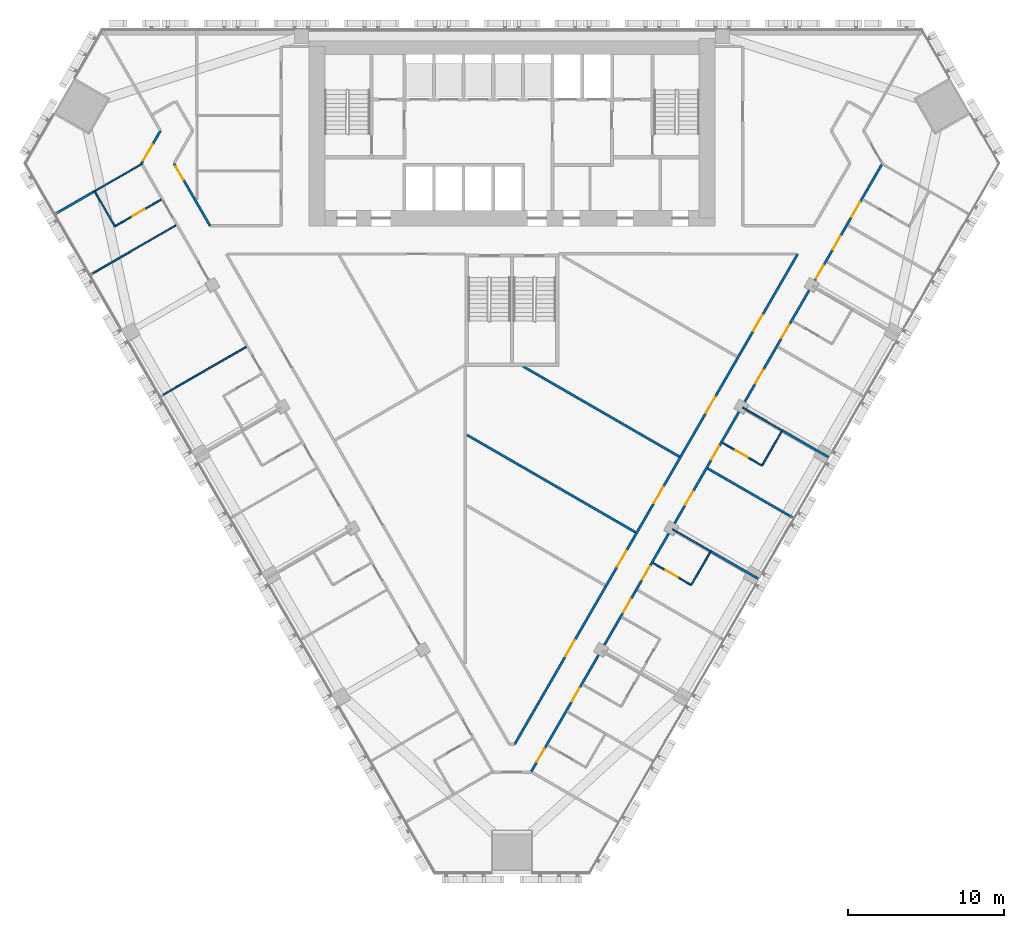
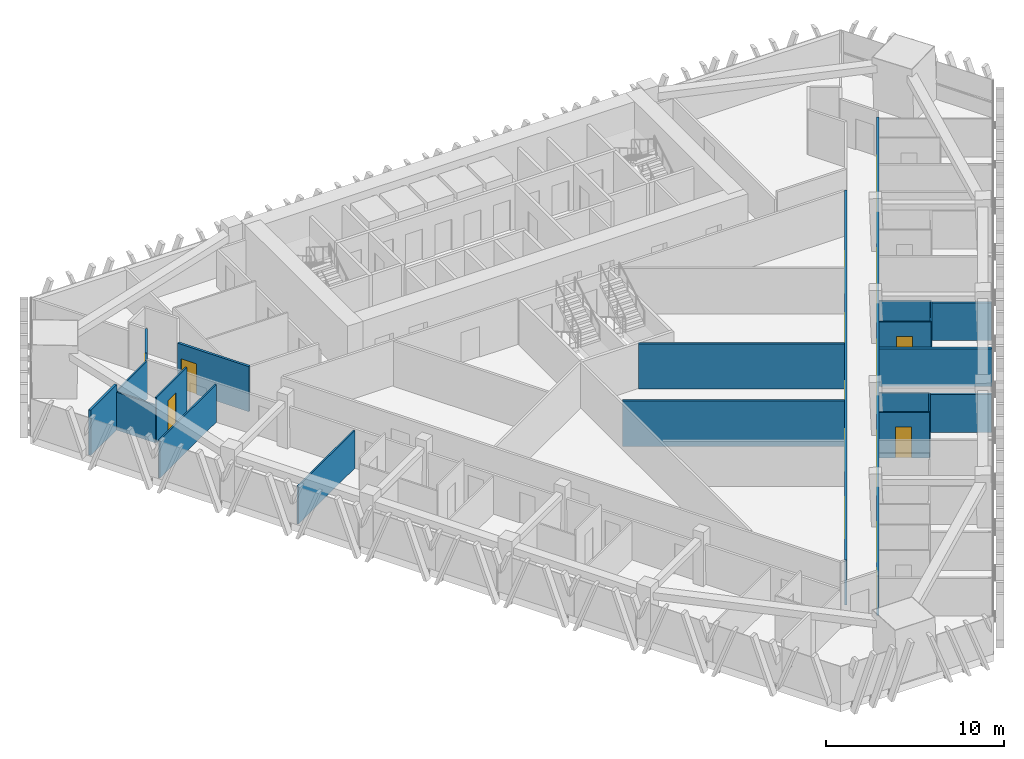
# One storey, part 11 of 17: 21 doors, 21 walls, 21 openings.
"""IFC4 building model written with IfcOpenShell, lengths in metres."""

from ifc_helpers import new_model, si_unit, direction, frame, frame_2d, origin, place, context, subcontext, project, spatial, rectangle, extrude, material, layer, layer_set, type_object, element, fill, save


model = new_model("IFC4")

# Units and contexts
model_context = context("Model", 3, precision=1e-05, world=origin(), true_north=direction((0.0, 1.0)))
body_context = subcontext(model_context, "Body", "Model", "MODEL_VIEW")
ifc_project = project(units=[si_unit("LENGTHUNIT", "METRE"), si_unit("AREAUNIT", "SQUARE_METRE"), si_unit("VOLUMEUNIT", "CUBIC_METRE"), si_unit("PLANEANGLEUNIT", "RADIAN"), si_unit("MASSUNIT", "GRAM", prefix="KILO")], contexts=[model_context])

# Site, building, storey
site_placement = place(None, origin())
site = spatial("IfcSite", under=ifc_project, at=site_placement, CompositionType="ELEMENT")
building_placement = place(site_placement, origin())
building = spatial("IfcBuilding", under=site, at=building_placement, Name="Altiplano Prism Tower", CompositionType="ELEMENT")
storey_placement = place(building_placement, frame((0.0, 0.0, 30.60009765625)))
storey = spatial("IfcBuildingStorey", under=building, at=storey_placement, Name="L06", CompositionType="ELEMENT", Elevation=30.60009765625)

# Wall, opening, door
ifc_material_1 = material(Name="Plasterboard on steel stud", Category="steel")
ifc_layer_1 = layer(ifc_material_1, 0.10009765625)
ifc_layer_set_1 = layer_set([ifc_layer_1], Name="Plasterboard on steel stud")
wall_type_1 = type_object("IfcWallType", Name="Partition 100 unit", PredefinedType="PARTITIONING", material=ifc_layer_set_1)
wall_1_placement = place(storey_placement, frame((62.507568359375, 94.0849609375, 0.0), z_axis=(0.0, 0.0, 1.0), x_axis=(-0.866032454348, -0.499987787867, 0.0)))
wall_1 = element("IfcWall", 1, at=wall_1_placement, inside=storey, type_object=wall_type_1, Name="Partition P02 L06 034", PredefinedType="PARTITIONING", context=body_context, shape_type="SweptSolid", body=[
    extrude(rectangle(XDim=3.4248046875, YDim=0.10009765625, at=frame_2d((1.71240234375, 0.0))), origin(), (0.0, 0.0, 1.0), 3.099853515625),
])
opening_1_placement = place(wall_1_placement, frame((1.22509765625, 0.0, 0.0)))
opening_1 = element("IfcOpeningElement", 2, at=opening_1_placement, cuts=wall_1, Name="Opening D0186", PredefinedType="OPENING", context=body_context, shape_type="SweptSolid", body=[
    extrude(rectangle(XDim=0.89990234375, YDim=2.10009765625, at=frame_2d((0.449951171875, 1.050048828125))), frame((0.0, 0.060546875, 0.0), z_axis=(0.0, -1.0, 0.0), x_axis=(1.0, 0.0, 0.0)), (0.0, 0.0, 1.0), 0.12109375),
])
ifc_material_2 = material(Name="Timber", Category="wood")
door_type_1 = type_object("IfcDoorType", Name="Accessible ensuite door 900 x 2100", OperationType="NOTDEFINED", PredefinedType="NOTDEFINED", material=ifc_material_2)
door_1_placement = place(opening_1_placement, origin())
door_1 = element("IfcDoor", 3, at=door_1_placement, inside=storey, type_object=door_type_1, Name="Door D0186", OperationType="SINGLE_SWING_LEFT", OverallHeight=2.10009765625, OverallWidth=0.89990234375, PredefinedType="NOTDEFINED", context=body_context, shape_type="SweptSolid", body=[
    extrude(rectangle(XDim=0.89990234375, YDim=2.10009765625, at=frame_2d((0.449951171875, 1.050048828125))), frame((0.0, 0.02490234375, 0.0), z_axis=(0.0, -1.0, 0.0), x_axis=(1.0, 0.0, 0.0)), (0.0, 0.0, 1.0), 0.050048828125),
])
fill(opening_1, door_1)

# Walls
wall_2_placement = place(storey_placement, frame((59.54150390625, 92.37255859375, 0.0), z_axis=(0.0, 0.0, 1.0), x_axis=(-0.500047596559, 0.865997922154, 0.0)))
element("IfcWall", 4, at=wall_2_placement, inside=storey, type_object=wall_type_1, Name="Partition P02 L06 035", PredefinedType="PARTITIONING", context=body_context, shape_type="SweptSolid", body=[
    extrude(rectangle(XDim=2.599853515625, YDim=0.10009765625, at=frame_2d((1.2998046875, 0.0))), origin(), (0.0, 0.0, 1.0), 2.599853515625),
])
wall_3_placement = place(storey_placement, frame((97.701416015625, 71.4765625, 0.0), z_axis=(0.0, 0.0, 1.0), x_axis=(-0.500047793048, -0.865997808697, 0.0)))
element("IfcWall", 5, at=wall_3_placement, inside=storey, type_object=wall_type_1, Name="Partition P02 L06 067", PredefinedType="PARTITIONING", context=body_context, shape_type="SweptSolid", body=[
    extrude(rectangle(XDim=2.425048828125, YDim=0.10009765625, at=frame_2d((1.21240234375, 0.0))), origin(), (0.0, 0.0, 1.0), 2.699951171875),
])

# Wall, opening, door
wall_4_placement = place(storey_placement, frame((96.48876953125, 69.37646484375, 0.0), z_axis=(0.0, 0.0, 1.0), x_axis=(-0.866048868473, 0.499959355765, 0.0)))
wall_4 = element("IfcWall", 6, at=wall_4_placement, inside=storey, type_object=wall_type_1, Name="Partition P02 L06 068", PredefinedType="PARTITIONING", context=body_context, shape_type="SweptSolid", body=[
    extrude(rectangle(XDim=2.824951171875, YDim=0.10009765625, at=frame_2d((1.41259765625, 0.0))), origin(), (0.0, 0.0, 1.0), 3.099853515625),
])
opening_2_placement = place(wall_4_placement, frame((1.0, 0.0, 0.0)))
opening_2 = element("IfcOpeningElement", 7, at=opening_2_placement, cuts=wall_4, Name="Opening D0206", PredefinedType="OPENING", context=body_context, shape_type="SweptSolid", body=[
    extrude(rectangle(XDim=0.89990234375, YDim=2.10009765625, at=frame_2d((0.449951171875, 1.050048828125))), frame((0.0, 0.060546875, 0.0), z_axis=(0.0, -1.0, 0.0), x_axis=(1.0, 0.0, 0.0)), (0.0, 0.0, 1.0), 0.12109375),
])
door_type_2 = type_object("IfcDoorType", Name="Ensuite door 900 x 2100", OperationType="NOTDEFINED", PredefinedType="NOTDEFINED", material=ifc_material_2)
door_2_placement = place(opening_2_placement, origin())
door_2 = element("IfcDoor", 8, at=door_2_placement, inside=storey, type_object=door_type_2, Name="Door D0206", OperationType="SINGLE_SWING_RIGHT", OverallHeight=2.10009765625, OverallWidth=0.89990234375, PredefinedType="NOTDEFINED", context=body_context, shape_type="SweptSolid", body=[
    extrude(rectangle(XDim=0.89990234375, YDim=2.10009765625, at=frame_2d((0.449951171875, 1.050048828125))), frame((0.0, 0.02490234375, 0.0), z_axis=(0.0, -1.0, 0.0), x_axis=(1.0, 0.0, 0.0)), (0.0, 0.0, 1.0), 0.050048828125),
])
fill(opening_2, door_2)

# Wall
wall_5_placement = place(storey_placement, frame((102.287841796875, 79.220703125, 0.0), z_axis=(0.0, 0.0, 1.0), x_axis=(-0.499976333282, -0.866039067339, 0.0)))
element("IfcWall", 9, at=wall_5_placement, inside=storey, type_object=wall_type_1, Name="Partition P02 L06 072", PredefinedType="PARTITIONING", context=body_context, shape_type="SweptSolid", body=[
    extrude(rectangle(XDim=2.52490234375, YDim=0.10009765625, at=frame_2d((1.262451171875, 0.0))), origin(), (0.0, 0.0, 1.0), 2.699951171875),
])

# Wall, opening, door
wall_6_placement = place(storey_placement, frame((101.025390625, 77.033935546875, 0.0), z_axis=(0.0, 0.0, 1.0), x_axis=(-0.865989585315, 0.500062034277, 0.0)))
wall_6 = element("IfcWall", 10, at=wall_6_placement, inside=storey, type_object=wall_type_1, Name="Partition P02 L06 073", PredefinedType="PARTITIONING", context=body_context, shape_type="SweptSolid", body=[
    extrude(rectangle(XDim=2.925048828125, YDim=0.10009765625, at=frame_2d((1.46240234375, 0.0))), origin(), (0.0, 0.0, 1.0), 3.099853515625),
])
opening_3_placement = place(wall_6_placement, frame((1.050048828125, 0.0, 0.0)))
opening_3 = element("IfcOpeningElement", 11, at=opening_3_placement, cuts=wall_6, Name="Opening D0209", PredefinedType="OPENING", context=body_context, shape_type="SweptSolid", body=[
    extrude(rectangle(XDim=0.89990234375, YDim=2.10009765625, at=frame_2d((0.449951171875, 1.050048828125))), frame((0.0, 0.060546875, 0.0), z_axis=(0.0, -1.0, 0.0), x_axis=(1.0, 0.0, 0.0)), (0.0, 0.0, 1.0), 0.12109375),
])
door_3_placement = place(opening_3_placement, origin())
door_3 = element("IfcDoor", 12, at=door_3_placement, inside=storey, type_object=door_type_2, Name="Door D0209", OperationType="SINGLE_SWING_LEFT", OverallHeight=2.10009765625, OverallWidth=0.89990234375, PredefinedType="NOTDEFINED", context=body_context, shape_type="SweptSolid", body=[
    extrude(rectangle(XDim=0.89990234375, YDim=2.10009765625, at=frame_2d((0.449951171875, 1.050048828125))), frame((0.0, 0.02490234375, 0.0), z_axis=(0.0, -1.0, 0.0), x_axis=(1.0, 0.0, 0.0)), (0.0, 0.0, 1.0), 0.050048828125),
])
fill(opening_3, door_3)

# Walls
ifc_layer_2 = layer(ifc_material_1, 0.10009765625)
ifc_layer_set_2 = layer_set([ifc_layer_2], Name="Plasterboard on steel stud")
wall_type_2 = type_object("IfcWallType", Name="Partition 100 wet", PredefinedType="PARTITIONING", material=ifc_layer_set_2)
wall_7_placement = place(storey_placement, frame((58.241455078125, 94.6240234375, 0.0), z_axis=(0.0, 0.0, 1.0), x_axis=(0.866036909293, 0.499980071345, 0.0)))
element("IfcWall", 13, at=wall_7_placement, inside=storey, type_object=wall_type_2, Name="Partition P03 L06 033", PredefinedType="PARTITIONING", context=body_context, shape_type="SweptSolid", body=[
    extrude(rectangle(XDim=3.500244140625, YDim=0.10009765625, at=frame_2d((1.75, 0.0))), origin(), (0.0, 0.0, 1.0), 2.599853515625),
])
for number, where, z_axis, x_axis, name in (
    (14, (57.962646484375, 89.266845703125, 0.0), (0.0, 0.0, 1.0), (0.866025401434, 0.500000004071, 0.0), "Partition P03 L06 036"),
    (15, (62.462646484375, 81.47265625, 0.0), (0.0, 0.0, 1.0), (0.866025401434, 0.500000004071, 0.0), "Partition P03 L06 037"),
):
    element("IfcWall", number, at=place(storey_placement, frame(where, z_axis=z_axis, x_axis=x_axis)), inside=storey, type_object=wall_type_2, Name=name, PredefinedType="PARTITIONING", context=body_context, shape_type="SweptSolid", body=[
        extrude(rectangle(XDim=6.34521484375, YDim=0.10009765625, at=frame_2d((3.172607421875, 0.0))), origin(), (0.0, 0.0, 1.0), 2.599853515625),
    ])
wall_8_placement = place(storey_placement, frame((97.756103515625, 71.531494140625, 0.0), z_axis=(0.0, 0.0, 1.0), x_axis=(-0.866048401274, 0.499960165064, 0.0)))
element("IfcWall", 16, at=wall_8_placement, inside=storey, type_object=wall_type_2, Name="Partition P03 L06 070", PredefinedType="PARTITIONING", context=body_context, shape_type="SweptSolid", body=[
    extrude(rectangle(XDim=2.844970703125, YDim=0.10009765625, at=frame_2d((1.42236328125, 0.0))), origin(), (0.0, 0.0, 1.0), 2.699951171875),
])
wall_9_placement = place(storey_placement, frame((102.3427734375, 79.275634765625, 0.0), z_axis=(0.0, 0.0, 1.0), x_axis=(-0.866046160531, 0.499964046536, 0.0)))
element("IfcWall", 17, at=wall_9_placement, inside=storey, type_object=wall_type_2, Name="Partition P03 L06 075", PredefinedType="PARTITIONING", context=body_context, shape_type="SweptSolid", body=[
    extrude(rectangle(XDim=2.945068359375, YDim=0.10009765625, at=frame_2d((1.47265625, 0.0))), origin(), (0.0, 0.0, 1.0), 2.699951171875),
])

# Wall, opening, door
ifc_layer_3 = layer(ifc_material_1, 0.14990234375)
ifc_layer_set_3 = layer_set([ifc_layer_3], Name="Plasterboard on steel stud")
wall_type_3 = type_object("IfcWallType", Name="Partition 150 corridor", PredefinedType="PARTITIONING", material=ifc_layer_set_3)
wall_10_placement = place(storey_placement, frame((65.6455078125, 92.39990234375, 0.0), z_axis=(0.0, 0.0, 1.0), x_axis=(-0.499964565595, 0.866045860881, 0.0)))
wall_10 = element("IfcWall", 18, at=wall_10_placement, inside=storey, type_object=wall_type_3, Name="Partition P06 L06 003", PredefinedType="PARTITIONING", context=body_context, shape_type="SweptSolid", body=[
    extrude(rectangle(XDim=4.626220703125, YDim=0.14990234375, at=frame_2d((2.31298828125, 0.0))), origin(), (0.0, 0.0, 1.0), 3.099853515625),
])
opening_4_placement = place(wall_10_placement, frame((3.40087890625, 0.0, 0.0)))
opening_4 = element("IfcOpeningElement", 19, at=opening_4_placement, cuts=wall_10, Name="Opening D0182", PredefinedType="OPENING", context=body_context, shape_type="SweptSolid", body=[
    extrude(rectangle(XDim=1.0, YDim=2.10009765625, at=frame_2d((0.5, 1.050048828125))), frame((0.0, 0.08544921875, 0.0), z_axis=(0.0, -1.0, 0.0), x_axis=(1.0, 0.0, 0.0)), (0.0, 0.0, 1.0), 0.1708984375),
])
door_type_3 = type_object("IfcDoorType", Name="Store door 1000 x 2100", OperationType="NOTDEFINED", PredefinedType="NOTDEFINED", material=ifc_material_2)
door_4_placement = place(opening_4_placement, origin())
door_4 = element("IfcDoor", 20, at=door_4_placement, inside=storey, type_object=door_type_3, Name="Door D0182", OperationType="SINGLE_SWING_RIGHT", OverallHeight=2.10009765625, OverallWidth=1.0, PredefinedType="NOTDEFINED", context=body_context, shape_type="SweptSolid", body=[
    extrude(rectangle(XDim=1.0, YDim=2.10009765625, at=frame_2d((0.5, 1.050048828125))), frame((0.0, 0.02490234375, 0.0), z_axis=(0.0, -1.0, 0.0), x_axis=(1.0, 0.0, 0.0)), (0.0, 0.0, 1.0), 0.050048828125),
])
fill(opening_4, door_4)

wall_11_placement = place(storey_placement, frame((62.462646484375, 98.5, 0.0), z_axis=(0.0, 0.0, 1.0), x_axis=(-0.500016772967, -0.866015719691, 0.0)))
wall_11 = element("IfcWall", 21, at=wall_11_placement, inside=storey, type_object=wall_type_3, Name="Partition P06 L06 009", PredefinedType="PARTITIONING", context=body_context, shape_type="SweptSolid", body=[
    extrude(rectangle(XDim=2.41748046875, YDim=0.14990234375, at=frame_2d((1.208740234375, 0.0))), origin(), (0.0, 0.0, 1.0), 3.099853515625),
])
opening_5_placement = place(wall_11_placement, frame((1.01708984375, 0.0, 0.0)))
opening_5 = element("IfcOpeningElement", 22, at=opening_5_placement, cuts=wall_11, Name="Opening D0184", PredefinedType="OPENING", context=body_context, shape_type="SweptSolid", body=[
    extrude(rectangle(XDim=1.199951171875, YDim=2.10009765625, at=frame_2d((0.60009765625, 1.050048828125))), frame((0.0, 0.08544921875, 0.0), z_axis=(0.0, -1.0, 0.0), x_axis=(1.0, 0.0, 0.0)), (0.0, 0.0, 1.0), 0.1708984375),
])
door_type_4 = type_object("IfcDoorType", Name="Shared room door 1200 x 2100", OperationType="NOTDEFINED", PredefinedType="NOTDEFINED", material=ifc_material_2)
door_5_placement = place(opening_5_placement, origin())
door_5 = element("IfcDoor", 23, at=door_5_placement, inside=storey, type_object=door_type_4, Name="Door D0184", OperationType="SINGLE_SWING_LEFT", OverallHeight=2.10009765625, OverallWidth=1.199951171875, PredefinedType="NOTDEFINED", context=body_context, shape_type="SweptSolid", body=[
    extrude(rectangle(XDim=1.199951171875, YDim=2.10009765625, at=frame_2d((0.60009765625, 1.050048828125))), frame((0.0, 0.02490234375, 0.0), z_axis=(0.0, -1.0, 0.0), x_axis=(1.0, 0.0, 0.0)), (0.0, 0.0, 1.0), 0.050048828125),
])
fill(opening_5, door_5)

# Wall, openings, doors
wall_12_placement = place(storey_placement, frame((86.227294921875, 57.403076171875, 0.0), z_axis=(0.0, 0.0, 1.0), x_axis=(0.5000018851, 0.866024315419, 0.0)))
wall_12 = element("IfcWall", 24, at=wall_12_placement, inside=storey, type_object=wall_type_3, Name="Partition P06 L06 012", PredefinedType="PARTITIONING", context=body_context, shape_type="SweptSolid", body=[
    extrude(rectangle(XDim=44.999755859375, YDim=0.14990234375, at=frame_2d((22.5, 0.0))), origin(), (0.0, 0.0, 1.0), 2.699951171875),
])
opening_6_placement = place(wall_12_placement, frame((0.719970703125, 0.0, 0.0)))
opening_6 = element("IfcOpeningElement", 25, at=opening_6_placement, cuts=wall_12, Name="Opening D0199", PredefinedType="OPENING", context=body_context, shape_type="SweptSolid", body=[
    extrude(rectangle(XDim=1.0, YDim=2.10009765625, at=frame_2d((0.5, 1.050048828125))), frame((0.0, 0.08544921875, 0.0), z_axis=(0.0, -1.0, 0.0), x_axis=(1.0, 0.0, 0.0)), (0.0, 0.0, 1.0), 0.1708984375),
])
opening_7_placement = place(wall_12_placement, frame((5.219970703125, 0.0, 0.0)))
opening_7 = element("IfcOpeningElement", 26, at=opening_7_placement, cuts=wall_12, Name="Opening D0201", PredefinedType="OPENING", context=body_context, shape_type="SweptSolid", body=[
    extrude(rectangle(XDim=1.0, YDim=2.10009765625, at=frame_2d((0.5, 1.050048828125))), frame((0.0, 0.08544921875, 0.0), z_axis=(0.0, -1.0, 0.0), x_axis=(1.0, 0.0, 0.0)), (0.0, 0.0, 1.0), 0.1708984375),
])
opening_8_placement = place(wall_12_placement, frame((11.780029296875, 0.0, 0.0)))
opening_8 = element("IfcOpeningElement", 27, at=opening_8_placement, cuts=wall_12, Name="Opening D0203", PredefinedType="OPENING", context=body_context, shape_type="SweptSolid", body=[
    extrude(rectangle(XDim=1.0, YDim=2.10009765625, at=frame_2d((0.5, 1.050048828125))), frame((0.0, 0.08544921875, 0.0), z_axis=(0.0, -1.0, 0.0), x_axis=(1.0, 0.0, 0.0)), (0.0, 0.0, 1.0), 0.1708984375),
])
opening_9_placement = place(wall_12_placement, frame((14.219970703125, 0.0, 0.0)))
opening_9 = element("IfcOpeningElement", 28, at=opening_9_placement, cuts=wall_12, Name="Opening D0205", PredefinedType="OPENING", context=body_context, shape_type="SweptSolid", body=[
    extrude(rectangle(XDim=1.0, YDim=2.10009765625, at=frame_2d((0.5, 1.050048828125))), frame((0.0, 0.08544921875, 0.0), z_axis=(0.0, -1.0, 0.0), x_axis=(1.0, 0.0, 0.0)), (0.0, 0.0, 1.0), 0.1708984375),
])
opening_10_placement = place(wall_12_placement, frame((19.75, 0.0, 0.0)))
opening_10 = element("IfcOpeningElement", 29, at=opening_10_placement, cuts=wall_12, Name="Opening D0207", PredefinedType="OPENING", context=body_context, shape_type="SweptSolid", body=[
    extrude(rectangle(XDim=1.0, YDim=2.10009765625, at=frame_2d((0.5, 1.050048828125))), frame((0.0, 0.08544921875, 0.0), z_axis=(0.0, -1.0, 0.0), x_axis=(1.0, 0.0, 0.0)), (0.0, 0.0, 1.0), 0.1708984375),
])
opening_11_placement = place(wall_12_placement, frame((23.10498046875, 0.0, 0.0)))
opening_11 = element("IfcOpeningElement", 30, at=opening_11_placement, cuts=wall_12, Name="Opening D0208", PredefinedType="OPENING", context=body_context, shape_type="SweptSolid", body=[
    extrude(rectangle(XDim=1.0, YDim=2.10009765625, at=frame_2d((0.5, 1.050048828125))), frame((0.0, 0.08544921875, 0.0), z_axis=(0.0, -1.0, 0.0), x_axis=(1.0, 0.0, 0.0)), (0.0, 0.0, 1.0), 0.1708984375),
])
opening_12_placement = place(wall_12_placement, frame((28.75, 0.0, 0.0)))
opening_12 = element("IfcOpeningElement", 31, at=opening_12_placement, cuts=wall_12, Name="Opening D0210", PredefinedType="OPENING", context=body_context, shape_type="SweptSolid", body=[
    extrude(rectangle(XDim=1.0, YDim=2.10009765625, at=frame_2d((0.5, 1.050048828125))), frame((0.0, 0.08544921875, 0.0), z_axis=(0.0, -1.0, 0.0), x_axis=(1.0, 0.0, 0.0)), (0.0, 0.0, 1.0), 0.1708984375),
])
opening_13_placement = place(wall_12_placement, frame((32.10498046875, 0.0, 0.0)))
opening_13 = element("IfcOpeningElement", 32, at=opening_13_placement, cuts=wall_12, Name="Opening D0211", PredefinedType="OPENING", context=body_context, shape_type="SweptSolid", body=[
    extrude(rectangle(XDim=1.0, YDim=2.10009765625, at=frame_2d((0.5, 1.050048828125))), frame((0.0, 0.08544921875, 0.0), z_axis=(0.0, -1.0, 0.0), x_axis=(1.0, 0.0, 0.0)), (0.0, 0.0, 1.0), 0.1708984375),
])
opening_14_placement = place(wall_12_placement, frame((36.50390625, 0.0, 0.0)))
opening_14 = element("IfcOpeningElement", 33, at=opening_14_placement, cuts=wall_12, Name="Opening D0213", PredefinedType="OPENING", context=body_context, shape_type="SweptSolid", body=[
    extrude(rectangle(XDim=1.0, YDim=2.10009765625, at=frame_2d((0.5, 1.050048828125))), frame((0.0, 0.08544921875, 0.0), z_axis=(0.0, -1.0, 0.0), x_axis=(1.0, 0.0, 0.0)), (0.0, 0.0, 1.0), 0.1708984375),
])
opening_15_placement = place(wall_12_placement, frame((38.654052734375, 0.0, 0.0)))
opening_15 = element("IfcOpeningElement", 34, at=opening_15_placement, cuts=wall_12, Name="Opening D0214", PredefinedType="OPENING", context=body_context, shape_type="SweptSolid", body=[
    extrude(rectangle(XDim=1.0, YDim=2.10009765625, at=frame_2d((0.5, 1.050048828125))), frame((0.0, 0.08544921875, 0.0), z_axis=(0.0, -1.0, 0.0), x_axis=(1.0, 0.0, 0.0)), (0.0, 0.0, 1.0), 0.1708984375),
])
opening_16_placement = place(wall_12_placement, frame((41.071044921875, 0.0, 0.0)))
opening_16 = element("IfcOpeningElement", 35, at=opening_16_placement, cuts=wall_12, Name="Opening D0215", PredefinedType="OPENING", context=body_context, shape_type="SweptSolid", body=[
    extrude(rectangle(XDim=1.10009765625, YDim=2.10009765625, at=frame_2d((0.550048828125, 1.050048828125))), frame((0.0, 0.08544921875, 0.0), z_axis=(0.0, -1.0, 0.0), x_axis=(1.0, 0.0, 0.0)), (0.0, 0.0, 1.0), 0.1708984375),
])
door_type_5 = type_object("IfcDoorType", Name="Accessible bedroom door 1100 x 2100", OperationType="NOTDEFINED", PredefinedType="NOTDEFINED", material=ifc_material_2)
door_6_placement = place(opening_16_placement, origin())
door_6 = element("IfcDoor", 36, at=door_6_placement, inside=storey, type_object=door_type_5, Name="Door D0215", OperationType="SINGLE_SWING_LEFT", OverallHeight=2.10009765625, OverallWidth=1.10009765625, PredefinedType="NOTDEFINED", context=body_context, shape_type="SweptSolid", body=[
    extrude(rectangle(XDim=1.10009765625, YDim=2.10009765625, at=frame_2d((0.550048828125, 1.050048828125))), frame((0.0, 0.02490234375, 0.0), z_axis=(0.0, -1.0, 0.0), x_axis=(1.0, 0.0, 0.0)), (0.0, 0.0, 1.0), 0.050048828125),
])
fill(opening_16, door_6)
door_type_6 = type_object("IfcDoorType", Name="Bedroom entrance door 1000 x 2100", OperationType="NOTDEFINED", PredefinedType="NOTDEFINED", material=ifc_material_2)
door_7_placement = place(opening_6_placement, origin())
door_7 = element("IfcDoor", 37, at=door_7_placement, inside=storey, type_object=door_type_6, Name="Door D0199", OperationType="SINGLE_SWING_RIGHT", OverallHeight=2.10009765625, OverallWidth=1.0, PredefinedType="NOTDEFINED", context=body_context, shape_type="SweptSolid", body=[
    extrude(rectangle(XDim=1.0, YDim=2.10009765625, at=frame_2d((0.5, 1.050048828125))), frame((0.0, 0.02490234375, 0.0), z_axis=(0.0, -1.0, 0.0), x_axis=(1.0, 0.0, 0.0)), (0.0, 0.0, 1.0), 0.050048828125),
])
fill(opening_6, door_7)
door_8_placement = place(opening_7_placement, origin())
door_8 = element("IfcDoor", 38, at=door_8_placement, inside=storey, type_object=door_type_6, Name="Door D0201", OperationType="SINGLE_SWING_RIGHT", OverallHeight=2.10009765625, OverallWidth=1.0, PredefinedType="NOTDEFINED", context=body_context, shape_type="SweptSolid", body=[
    extrude(rectangle(XDim=1.0, YDim=2.10009765625, at=frame_2d((0.5, 1.050048828125))), frame((0.0, 0.02490234375, 0.0), z_axis=(0.0, -1.0, 0.0), x_axis=(1.0, 0.0, 0.0)), (0.0, 0.0, 1.0), 0.050048828125),
])
fill(opening_7, door_8)
door_9_placement = place(opening_8_placement, origin())
door_9 = element("IfcDoor", 39, at=door_9_placement, inside=storey, type_object=door_type_6, Name="Door D0203", OperationType="SINGLE_SWING_RIGHT", OverallHeight=2.10009765625, OverallWidth=1.0, PredefinedType="NOTDEFINED", context=body_context, shape_type="SweptSolid", body=[
    extrude(rectangle(XDim=1.0, YDim=2.10009765625, at=frame_2d((0.5, 1.050048828125))), frame((0.0, 0.02490234375, 0.0), z_axis=(0.0, -1.0, 0.0), x_axis=(1.0, 0.0, 0.0)), (0.0, 0.0, 1.0), 0.050048828125),
])
fill(opening_8, door_9)
door_10_placement = place(opening_9_placement, origin())
door_10 = element("IfcDoor", 40, at=door_10_placement, inside=storey, type_object=door_type_6, Name="Door D0205", OperationType="SINGLE_SWING_LEFT", OverallHeight=2.10009765625, OverallWidth=1.0, PredefinedType="NOTDEFINED", context=body_context, shape_type="SweptSolid", body=[
    extrude(rectangle(XDim=1.0, YDim=2.10009765625, at=frame_2d((0.5, 1.050048828125))), frame((0.0, 0.02490234375, 0.0), z_axis=(0.0, -1.0, 0.0), x_axis=(1.0, 0.0, 0.0)), (0.0, 0.0, 1.0), 0.050048828125),
])
fill(opening_9, door_10)
door_11_placement = place(opening_11_placement, origin())
door_11 = element("IfcDoor", 41, at=door_11_placement, inside=storey, type_object=door_type_6, Name="Door D0208", OperationType="SINGLE_SWING_RIGHT", OverallHeight=2.10009765625, OverallWidth=1.0, PredefinedType="NOTDEFINED", context=body_context, shape_type="SweptSolid", body=[
    extrude(rectangle(XDim=1.0, YDim=2.10009765625, at=frame_2d((0.5, 1.050048828125))), frame((0.0, 0.02490234375, 0.0), z_axis=(0.0, -1.0, 0.0), x_axis=(1.0, 0.0, 0.0)), (0.0, 0.0, 1.0), 0.050048828125),
])
fill(opening_11, door_11)
door_12_placement = place(opening_13_placement, origin())
door_12 = element("IfcDoor", 42, at=door_12_placement, inside=storey, type_object=door_type_6, Name="Door D0211", OperationType="SINGLE_SWING_RIGHT", OverallHeight=2.10009765625, OverallWidth=1.0, PredefinedType="NOTDEFINED", context=body_context, shape_type="SweptSolid", body=[
    extrude(rectangle(XDim=1.0, YDim=2.10009765625, at=frame_2d((0.5, 1.050048828125))), frame((0.0, 0.02490234375, 0.0), z_axis=(0.0, -1.0, 0.0), x_axis=(1.0, 0.0, 0.0)), (0.0, 0.0, 1.0), 0.050048828125),
])
fill(opening_13, door_12)
door_type_7 = type_object("IfcDoorType", Name="Room door 1000 x 2100", OperationType="NOTDEFINED", PredefinedType="NOTDEFINED", material=ifc_material_2)
door_13_placement = place(opening_10_placement, origin())
door_13 = element("IfcDoor", 43, at=door_13_placement, inside=storey, type_object=door_type_7, Name="Door D0207", OperationType="SINGLE_SWING_LEFT", OverallHeight=2.10009765625, OverallWidth=1.0, PredefinedType="NOTDEFINED", context=body_context, shape_type="SweptSolid", body=[
    extrude(rectangle(XDim=1.0, YDim=2.10009765625, at=frame_2d((0.5, 1.050048828125))), frame((0.0, 0.02490234375, 0.0), z_axis=(0.0, -1.0, 0.0), x_axis=(1.0, 0.0, 0.0)), (0.0, 0.0, 1.0), 0.050048828125),
])
fill(opening_10, door_13)
door_14_placement = place(opening_12_placement, origin())
door_14 = element("IfcDoor", 44, at=door_14_placement, inside=storey, type_object=door_type_7, Name="Door D0210", OperationType="SINGLE_SWING_RIGHT", OverallHeight=2.10009765625, OverallWidth=1.0, PredefinedType="NOTDEFINED", context=body_context, shape_type="SweptSolid", body=[
    extrude(rectangle(XDim=1.0, YDim=2.10009765625, at=frame_2d((0.5, 1.050048828125))), frame((0.0, 0.02490234375, 0.0), z_axis=(0.0, -1.0, 0.0), x_axis=(1.0, 0.0, 0.0)), (0.0, 0.0, 1.0), 0.050048828125),
])
fill(opening_12, door_14)
door_15_placement = place(opening_14_placement, origin())
door_15 = element("IfcDoor", 45, at=door_15_placement, inside=storey, type_object=door_type_3, Name="Door D0213", OperationType="SINGLE_SWING_RIGHT", OverallHeight=2.10009765625, OverallWidth=1.0, PredefinedType="NOTDEFINED", context=body_context, shape_type="SweptSolid", body=[
    extrude(rectangle(XDim=1.0, YDim=2.10009765625, at=frame_2d((0.5, 1.050048828125))), frame((0.0, 0.02490234375, 0.0), z_axis=(0.0, -1.0, 0.0), x_axis=(1.0, 0.0, 0.0)), (0.0, 0.0, 1.0), 0.050048828125),
])
fill(opening_14, door_15)
door_16_placement = place(opening_15_placement, origin())
door_16 = element("IfcDoor", 46, at=door_16_placement, inside=storey, type_object=door_type_3, Name="Door D0214", OperationType="SINGLE_SWING_RIGHT", OverallHeight=2.10009765625, OverallWidth=1.0, PredefinedType="NOTDEFINED", context=body_context, shape_type="SweptSolid", body=[
    extrude(rectangle(XDim=1.0, YDim=2.10009765625, at=frame_2d((0.5, 1.050048828125))), frame((0.0, 0.02490234375, 0.0), z_axis=(0.0, -1.0, 0.0), x_axis=(1.0, 0.0, 0.0)), (0.0, 0.0, 1.0), 0.050048828125),
])
fill(opening_15, door_16)

wall_13_placement = place(storey_placement, frame((103.315185546875, 90.60009765625, 0.0), z_axis=(0.0, 0.0, 1.0), x_axis=(-0.499999056994, -0.866025948229, 0.0)))
wall_13 = element("IfcWall", 47, at=wall_13_placement, inside=storey, type_object=wall_type_3, Name="Partition P06 L06 022", PredefinedType="PARTITIONING", context=body_context, shape_type="SweptSolid", body=[
    extrude(rectangle(XDim=36.29150390625, YDim=0.14990234375, at=frame_2d((18.145751953125, 0.0))), origin(), (0.0, 0.0, 1.0), 3.099853515625),
])
opening_17_placement = place(wall_13_placement, frame((10.575927734375, 0.0, 0.0)))
opening_17 = element("IfcOpeningElement", 48, at=opening_17_placement, cuts=wall_13, Name="Opening D0219", PredefinedType="OPENING", context=body_context, shape_type="SweptSolid", body=[
    extrude(rectangle(XDim=1.199951171875, YDim=2.10009765625, at=frame_2d((0.60009765625, 1.050048828125))), frame((0.0, 0.08544921875, 0.0), z_axis=(0.0, -1.0, 0.0), x_axis=(1.0, 0.0, 0.0)), (0.0, 0.0, 1.0), 0.1708984375),
])
opening_18_placement = place(wall_13_placement, frame((28.590087890625, 0.0, 0.0)))
opening_18 = element("IfcOpeningElement", 49, at=opening_18_placement, cuts=wall_13, Name="Opening D0221", PredefinedType="OPENING", context=body_context, shape_type="SweptSolid", body=[
    extrude(rectangle(XDim=1.199951171875, YDim=2.10009765625, at=frame_2d((0.60009765625, 1.050048828125))), frame((0.0, 0.08544921875, 0.0), z_axis=(0.0, -1.0, 0.0), x_axis=(1.0, 0.0, 0.0)), (0.0, 0.0, 1.0), 0.1708984375),
])
opening_19_placement = place(wall_13_placement, frame((17.248046875, 0.0, 0.0)))
opening_19 = element("IfcOpeningElement", 50, at=opening_19_placement, cuts=wall_13, Name="Opening D0222", PredefinedType="OPENING", context=body_context, shape_type="SweptSolid", body=[
    extrude(rectangle(XDim=1.199951171875, YDim=2.10009765625, at=frame_2d((0.60009765625, 1.050048828125))), frame((0.0, 0.08544921875, 0.0), z_axis=(0.0, -1.0, 0.0), x_axis=(1.0, 0.0, 0.0)), (0.0, 0.0, 1.0), 0.1708984375),
])
opening_20_placement = place(wall_13_placement, frame((4.5, 0.0, 0.0)))
opening_20 = element("IfcOpeningElement", 51, at=opening_20_placement, cuts=wall_13, Name="Opening D0224", PredefinedType="OPENING", context=body_context, shape_type="SweptSolid", body=[
    extrude(rectangle(XDim=1.199951171875, YDim=2.10009765625, at=frame_2d((0.60009765625, 1.050048828125))), frame((0.0, 0.08544921875, 0.0), z_axis=(0.0, -1.0, 0.0), x_axis=(1.0, 0.0, 0.0)), (0.0, 0.0, 1.0), 0.1708984375),
])
opening_21_placement = place(wall_13_placement, frame((21.947021484375, 0.0, 0.0)))
opening_21 = element("IfcOpeningElement", 52, at=opening_21_placement, cuts=wall_13, Name="Opening D0226", PredefinedType="OPENING", context=body_context, shape_type="SweptSolid", body=[
    extrude(rectangle(XDim=1.199951171875, YDim=2.10009765625, at=frame_2d((0.60009765625, 1.050048828125))), frame((0.0, 0.08544921875, 0.0), z_axis=(0.0, -1.0, 0.0), x_axis=(1.0, 0.0, 0.0)), (0.0, 0.0, 1.0), 0.1708984375),
])
door_17_placement = place(opening_17_placement, origin())
door_17 = element("IfcDoor", 53, at=door_17_placement, inside=storey, type_object=door_type_4, Name="Door D0219", OperationType="SINGLE_SWING_RIGHT", OverallHeight=2.10009765625, OverallWidth=1.199951171875, PredefinedType="NOTDEFINED", context=body_context, shape_type="SweptSolid", body=[
    extrude(rectangle(XDim=1.199951171875, YDim=2.10009765625, at=frame_2d((0.60009765625, 1.050048828125))), frame((0.0, 0.02490234375, 0.0), z_axis=(0.0, -1.0, 0.0), x_axis=(1.0, 0.0, 0.0)), (0.0, 0.0, 1.0), 0.050048828125),
])
fill(opening_17, door_17)
door_18_placement = place(opening_18_placement, origin())
door_18 = element("IfcDoor", 54, at=door_18_placement, inside=storey, type_object=door_type_4, Name="Door D0221", OperationType="SINGLE_SWING_RIGHT", OverallHeight=2.10009765625, OverallWidth=1.199951171875, PredefinedType="NOTDEFINED", context=body_context, shape_type="SweptSolid", body=[
    extrude(rectangle(XDim=1.199951171875, YDim=2.10009765625, at=frame_2d((0.60009765625, 1.050048828125))), frame((0.0, 0.02490234375, 0.0), z_axis=(0.0, -1.0, 0.0), x_axis=(1.0, 0.0, 0.0)), (0.0, 0.0, 1.0), 0.050048828125),
])
fill(opening_18, door_18)
door_19_placement = place(opening_19_placement, origin())
door_19 = element("IfcDoor", 55, at=door_19_placement, inside=storey, type_object=door_type_4, Name="Door D0222", OperationType="SINGLE_SWING_RIGHT", OverallHeight=2.10009765625, OverallWidth=1.199951171875, PredefinedType="NOTDEFINED", context=body_context, shape_type="SweptSolid", body=[
    extrude(rectangle(XDim=1.199951171875, YDim=2.10009765625, at=frame_2d((0.60009765625, 1.050048828125))), frame((0.0, 0.02490234375, 0.0), z_axis=(0.0, -1.0, 0.0), x_axis=(1.0, 0.0, 0.0)), (0.0, 0.0, 1.0), 0.050048828125),
])
fill(opening_19, door_19)
door_20_placement = place(opening_20_placement, origin())
door_20 = element("IfcDoor", 56, at=door_20_placement, inside=storey, type_object=door_type_4, Name="Door D0224", OperationType="SINGLE_SWING_RIGHT", OverallHeight=2.10009765625, OverallWidth=1.199951171875, PredefinedType="NOTDEFINED", context=body_context, shape_type="SweptSolid", body=[
    extrude(rectangle(XDim=1.199951171875, YDim=2.10009765625, at=frame_2d((0.60009765625, 1.050048828125))), frame((0.0, 0.02490234375, 0.0), z_axis=(0.0, -1.0, 0.0), x_axis=(1.0, 0.0, 0.0)), (0.0, 0.0, 1.0), 0.050048828125),
])
fill(opening_20, door_20)
door_21_placement = place(opening_21_placement, origin())
door_21 = element("IfcDoor", 57, at=door_21_placement, inside=storey, type_object=door_type_4, Name="Door D0226", OperationType="SINGLE_SWING_RIGHT", OverallHeight=2.10009765625, OverallWidth=1.199951171875, PredefinedType="NOTDEFINED", context=body_context, shape_type="SweptSolid", body=[
    extrude(rectangle(XDim=1.199951171875, YDim=2.10009765625, at=frame_2d((0.60009765625, 1.050048828125))), frame((0.0, 0.02490234375, 0.0), z_axis=(0.0, -1.0, 0.0), x_axis=(1.0, 0.0, 0.0)), (0.0, 0.0, 1.0), 0.050048828125),
])
fill(opening_21, door_21)

# Walls
ifc_layer_4 = layer(ifc_material_1, 0.14990234375)
ifc_layer_set_4 = layer_set([ifc_layer_4], Name="Plasterboard on steel stud")
wall_type_4 = type_object("IfcWallType", Name="Partition 150 party", PredefinedType="PARTITIONING", material=ifc_layer_set_4)
wall_14_placement = place(storey_placement, frame((55.712646484375, 93.1640625, 0.0), z_axis=(0.0, 0.0, 1.0), x_axis=(0.866032430508, 0.49998782916, 0.0)))
element("IfcWall", 58, at=wall_14_placement, inside=storey, type_object=wall_type_4, Name="Partition P01 L06 032", PredefinedType="PARTITIONING", context=body_context, shape_type="SweptSolid", body=[
    extrude(rectangle(XDim=2.919921875, YDim=0.14990234375, at=frame_2d((1.4599609375, 0.0))), origin(), (0.0, 0.0, 1.0), 3.099853515625),
])
wall_15_placement = place(storey_placement, frame((100.77001953125, 69.79150390625, 0.0), z_axis=(0.0, 0.0, 1.0), x_axis=(-0.866036599697, 0.499980607609, 0.0)))
element("IfcWall", 59, at=wall_15_placement, inside=storey, type_object=wall_type_4, Name="Partition P01 L06 069", PredefinedType="PARTITIONING", context=body_context, shape_type="SweptSolid", body=[
    extrude(rectangle(XDim=3.520263671875, YDim=0.14990234375, at=frame_2d((1.76025390625, 0.0))), origin(), (0.0, 0.0, 1.0), 2.599853515625),
])
wall_16_placement = place(storey_placement, frame((103.037353515625, 73.678466796875, 0.0), z_axis=(0.0, 0.0, 1.0), x_axis=(-0.866025401434, 0.500000004071, 0.0)))
element("IfcWall", 60, at=wall_16_placement, inside=storey, type_object=wall_type_4, Name="Partition P01 L06 071", PredefinedType="PARTITIONING", context=body_context, shape_type="SweptSolid", body=[
    extrude(rectangle(XDim=6.34521484375, YDim=0.14990234375, at=frame_2d((3.172607421875, 0.0))), origin(), (0.0, 0.0, 1.0), 2.599853515625),
])
wall_17_placement = place(storey_placement, frame((105.27001953125, 77.585693359375, 0.0), z_axis=(0.0, 0.0, 1.0), x_axis=(-0.866038183914, 0.499977863513, 0.0)))
element("IfcWall", 61, at=wall_17_placement, inside=storey, type_object=wall_type_4, Name="Partition P01 L06 074", PredefinedType="PARTITIONING", context=body_context, shape_type="SweptSolid", body=[
    extrude(rectangle(XDim=3.420166015625, YDim=0.14990234375, at=frame_2d((1.7099609375, 0.0))), origin(), (0.0, 0.0, 1.0), 2.599853515625),
])
wall_18_placement = place(storey_placement, frame((85.697509765625, 83.39990234375, 0.0), z_axis=(0.0, 0.0, 1.0), x_axis=(0.866020254168, -0.500008919292, 0.0)))
element("IfcWall", 62, at=wall_18_placement, inside=storey, type_object=wall_type_4, Name="Partition P01 L06 087", PredefinedType="PARTITIONING", context=body_context, shape_type="SweptSolid", body=[
    extrude(rectangle(XDim=11.582275390625, YDim=0.14990234375, at=frame_2d((5.791015625, 0.0))), origin(), (0.0, 0.0, 1.0), 3.099853515625),
])
wall_19_placement = place(storey_placement, frame((82.113037109375, 78.999267578125, 0.0), z_axis=(0.0, 0.0, 1.0), x_axis=(0.866025387892, -0.500000027526, 0.0)))
element("IfcWall", 63, at=wall_19_placement, inside=storey, type_object=wall_type_4, Name="Partition P01 L06 092", PredefinedType="PARTITIONING", context=body_context, shape_type="SweptSolid", body=[
    extrude(rectangle(XDim=12.486328125, YDim=0.14990234375, at=frame_2d((6.2431640625, 0.0))), origin(), (0.0, 0.0, 1.0), 3.099853515625),
])

save(model, "model.ifc")
